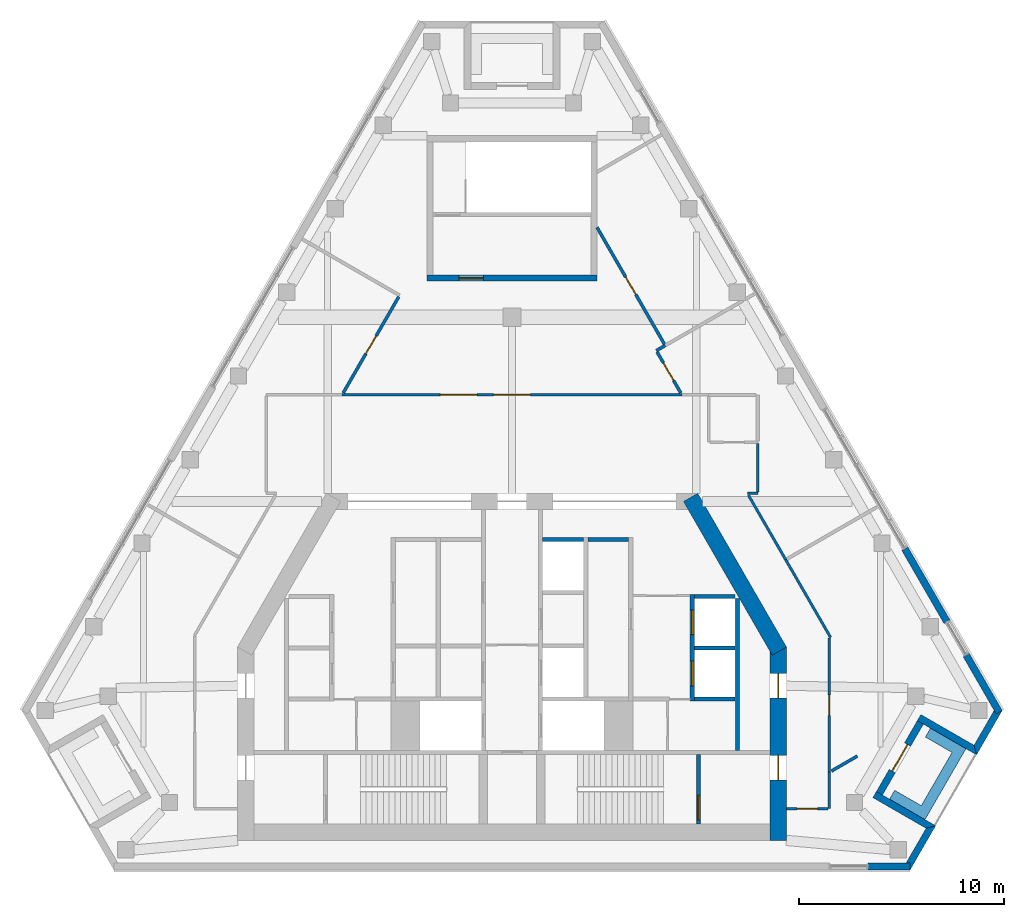
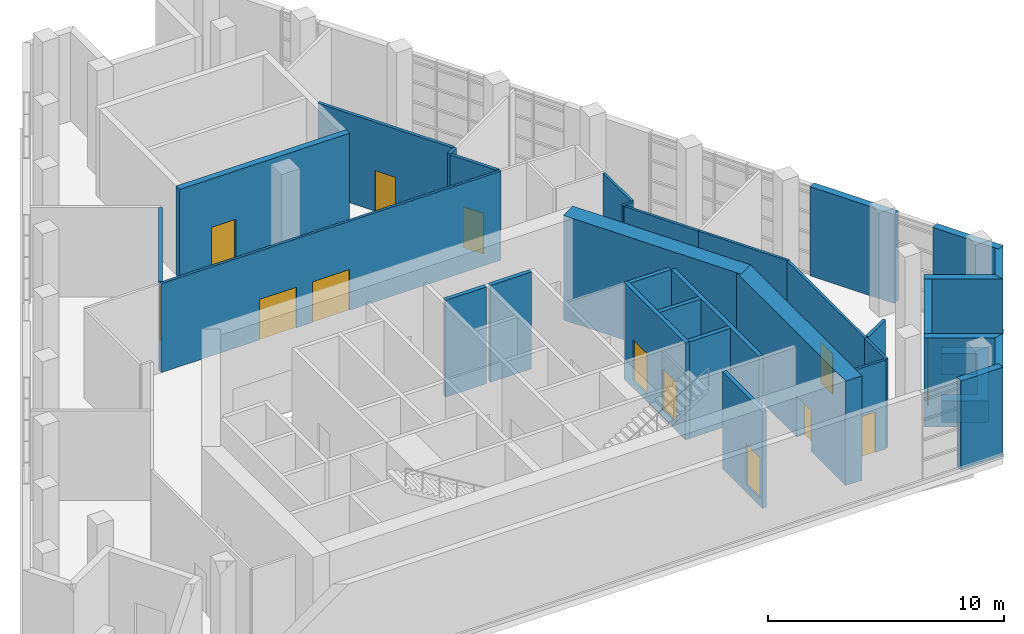
# One storey, part 11 of 13: 33 walls, 14 doors, 14 openings.
"""IFC4 building model written with IfcOpenShell, lengths in metres."""

from ifc_helpers import new_model, si_unit, direction, frame, frame_2d, origin, place, context, subcontext, project, spatial, polyline, rectangle, outline, extrude, material, layer, layer_set, type_object, element, fill, save


model = new_model("IFC4")

# Units and contexts
model_context = context("Model", 3, precision=1e-05, world=origin(), true_north=direction((0.0, 1.0)))
body_context = subcontext(model_context, "Body", "Model", "MODEL_VIEW")
ifc_project = project(units=[si_unit("LENGTHUNIT", "METRE"), si_unit("AREAUNIT", "SQUARE_METRE"), si_unit("VOLUMEUNIT", "CUBIC_METRE"), si_unit("PLANEANGLEUNIT", "RADIAN"), si_unit("MASSUNIT", "GRAM", prefix="KILO")], contexts=[model_context])

# Site, building, storey
site_placement = place(None, origin())
site = spatial("IfcSite", under=ifc_project, at=site_placement, CompositionType="ELEMENT")
building_placement = place(site_placement, origin())
building = spatial("IfcBuilding", under=site, at=building_placement, Name="Fogline Exchange Tower", CompositionType="ELEMENT")
storey_placement = place(building_placement, frame((0.0, 0.0, 339.300048828125)))
storey = spatial("IfcBuildingStorey", under=building, at=storey_placement, Name="L77", CompositionType="ELEMENT", Elevation=339.300048828125)

# Wall
ifc_material_1 = material(Name="Concrete C40", Category="concrete")
ifc_layer_1 = layer(ifc_material_1, 0.199951171875)
ifc_layer_set_1 = layer_set([ifc_layer_1], Name="CW20")
wall_type_1 = type_object("IfcWallType", Name="CW20", PredefinedType="SOLIDWALL", material=ifc_layer_set_1)
wall_1_placement = place(storey_placement, frame((11.0, 5.85009765625, 0.0), z_axis=(0.0, 0.0, 1.0), x_axis=(0.0, 1.0, 0.0)))
element("IfcWall", 1, at=wall_1_placement, inside=storey, type_object=wall_type_1, Name="Service room wall", PredefinedType="SOLIDWALL", context=body_context, shape_type="SweptSolid", body=[
    extrude(rectangle(XDim=7.39990234375, YDim=0.199951171875, at=frame_2d((3.699951171875, 0.0))), origin(), (0.0, 0.0, 1.0), 4.599853515625),
])

# Wall, opening, door
ifc_layer_2 = layer(ifc_material_1, 0.199951171875)
ifc_layer_set_2 = layer_set([ifc_layer_2], Name="CW20R")
wall_type_2 = type_object("IfcWallType", Name="CW20R", PredefinedType="SOLIDWALL", material=ifc_layer_set_2)
wall_2_placement = place(storey_placement, frame((9.10009765625, 2.25, -0.400146484375), z_axis=(0.0, 0.0, 1.0), x_axis=(0.0, 1.0, 0.0)))
wall_2 = element("IfcWall", 2, at=wall_2_placement, inside=storey, type_object=wall_type_2, Name="Stair enclosure wall", PredefinedType="SOLIDWALL", context=body_context, shape_type="SweptSolid", body=[
    extrude(rectangle(XDim=3.39990234375, YDim=0.199951171875, at=frame_2d((1.699951171875, 0.0))), origin(), (0.0, 0.0, 1.0), 5.0),
])
opening_1_placement = place(wall_2_placement, frame((0.199951171875, 0.0, 0.39990234375)))
opening_1 = element("IfcOpeningElement", 3, at=opening_1_placement, cuts=wall_2, Name="Opening T25-C019", PredefinedType="OPENING", context=body_context, shape_type="SweptSolid", body=[
    extrude(rectangle(XDim=1.199951171875, YDim=2.10009765625, at=frame_2d((0.60009765625, 1.050048828125))), frame((0.0, 0.10986328125, 0.0), z_axis=(0.0, -1.0, 0.0), x_axis=(1.0, 0.0, 0.0)), (0.0, 0.0, 1.0), 0.219970703125),
])
ifc_material_2 = material(Name="Steel and timber fire door", Category="steel")
door_type_1 = type_object("IfcDoorType", Name="D-ST1", OperationType="SINGLE_SWING_LEFT", PredefinedType="DOOR", material=ifc_material_2)
door_1_placement = place(opening_1_placement, origin())
door_1 = element("IfcDoor", 4, at=door_1_placement, inside=storey, type_object=door_type_1, Name="Stair door ST2", OperationType="SINGLE_SWING_LEFT", OverallHeight=2.10009765625, OverallWidth=1.199951171875, PredefinedType="DOOR", context=body_context, shape_type="SweptSolid", body=[
    extrude(rectangle(XDim=1.199951171875, YDim=2.10009765625, at=frame_2d((0.60009765625, 1.050048828125))), frame((0.0, 0.02490234375, 0.0), z_axis=(0.0, -1.0, 0.0), x_axis=(1.0, 0.0, 0.0)), (0.0, 0.0, 1.0), 0.050048828125),
])
fill(opening_1, door_1)

# Wall, openings, doors
ifc_layer_3 = layer(ifc_material_1, 0.199951171875)
ifc_layer_set_3 = layer_set([ifc_layer_3], Name="CW20S")
wall_type_3 = type_object("IfcWallType", Name="CW20S", PredefinedType="SOLIDWALL", material=ifc_layer_set_3)
wall_3_placement = place(storey_placement, frame((8.800048828125, 8.25, -0.400146484375), z_axis=(0.0, 0.0, 1.0), x_axis=(0.0, 1.0, 0.0)))
wall_3 = element("IfcWall", 5, at=wall_3_placement, inside=storey, type_object=wall_type_3, Name="Lift shaft wall", PredefinedType="SOLIDWALL", context=body_context, shape_type="SweptSolid", body=[
    extrude(rectangle(XDim=5.199951171875, YDim=0.199951171875, at=frame_2d((2.60009765625, 0.0))), origin(), (0.0, 0.0, 1.0), 5.0),
])
opening_2_placement = place(wall_3_placement, frame((0.75, 0.0, 0.39990234375)))
opening_2 = element("IfcOpeningElement", 6, at=opening_2_placement, cuts=wall_3, Name="Opening T25-LD02", PredefinedType="OPENING", context=body_context, shape_type="SweptSolid", body=[
    extrude(rectangle(XDim=1.199951171875, YDim=2.10009765625, at=frame_2d((0.60009765625, 1.050048828125))), frame((0.0, 0.10986328125, 0.0), z_axis=(0.0, -1.0, 0.0), x_axis=(1.0, 0.0, 0.0)), (0.0, 0.0, 1.0), 0.219970703125),
])
opening_3_placement = place(wall_3_placement, frame((3.25, 0.0, 0.39990234375)))
opening_3 = element("IfcOpeningElement", 7, at=opening_3_placement, cuts=wall_3, Name="Opening T25-LD03", PredefinedType="OPENING", context=body_context, shape_type="SweptSolid", body=[
    extrude(rectangle(XDim=1.199951171875, YDim=2.10009765625, at=frame_2d((0.60009765625, 1.050048828125))), frame((0.0, 0.10986328125, 0.0), z_axis=(0.0, -1.0, 0.0), x_axis=(1.0, 0.0, 0.0)), (0.0, 0.0, 1.0), 0.219970703125),
])
door_type_2 = type_object("IfcDoorType", Name="LD1", OperationType="SLIDING_TO_LEFT", PredefinedType="DOOR", material=ifc_material_2)
door_2_placement = place(opening_2_placement, origin())
door_2 = element("IfcDoor", 8, at=door_2_placement, inside=storey, type_object=door_type_2, Name="Landing door HR1", OperationType="SLIDING_TO_LEFT", OverallHeight=2.10009765625, OverallWidth=1.199951171875, PredefinedType="DOOR", context=body_context, shape_type="SweptSolid", body=[
    extrude(rectangle(XDim=1.199951171875, YDim=2.10009765625, at=frame_2d((0.60009765625, 1.050048828125))), frame((0.0, 0.02490234375, 0.0), z_axis=(0.0, -1.0, 0.0), x_axis=(1.0, 0.0, 0.0)), (0.0, 0.0, 1.0), 0.050048828125),
])
fill(opening_2, door_2)
door_3_placement = place(opening_3_placement, origin())
door_3 = element("IfcDoor", 9, at=door_3_placement, inside=storey, type_object=door_type_2, Name="Landing door HR2", OperationType="SLIDING_TO_LEFT", OverallHeight=2.10009765625, OverallWidth=1.199951171875, PredefinedType="DOOR", context=body_context, shape_type="SweptSolid", body=[
    extrude(rectangle(XDim=1.199951171875, YDim=2.10009765625, at=frame_2d((0.60009765625, 1.050048828125))), frame((0.0, 0.02490234375, 0.0), z_axis=(0.0, -1.0, 0.0), x_axis=(1.0, 0.0, 0.0)), (0.0, 0.0, 1.0), 0.050048828125),
])
fill(opening_3, door_3)

# Walls
for number, where, z_axis, x_axis, name in (
    (10, (8.89990234375, 8.35009765625, -0.400146484375), (0.0, 0.0, 1.0), (1.0, 0.0, 0.0), "Lift shaft wall"),
    (11, (8.89990234375, 10.85009765625, -0.400146484375), (0.0, 0.0, 1.0), (1.0, 0.0, 0.0), "Lift shaft wall"),
    (12, (8.89990234375, 13.35009765625, -0.400146484375), (0.0, 0.0, 1.0), (1.0, 0.0, 0.0), "Lift shaft wall"),
    (13, (3.699951171875, 16.14990234375, -0.400146484375), (0.0, 0.0, 1.0), (1.0, 0.0, 0.0), "Lift shaft wall"),
    (14, (1.5, 16.14990234375, -0.400146484375), (0.0, 0.0, 1.0), (1.0, 0.0, 0.0), "Lift shaft wall"),
):
    element("IfcWall", number, at=place(storey_placement, frame(where, z_axis=z_axis, x_axis=x_axis)), inside=storey, type_object=wall_type_3, Name=name, PredefinedType="SOLIDWALL", context=body_context, shape_type="SweptSolid", body=[
        extrude(rectangle(XDim=2.0, YDim=0.199951171875, at=frame_2d((1.0, 0.0))), origin(), (0.0, 0.0, 1.0), 5.0),
    ])

# Wall, opening, door
ifc_layer_4 = layer(ifc_material_1, 0.300048828125)
ifc_layer_set_4 = layer_set([ifc_layer_4], Name="CW30")
wall_type_4 = type_object("IfcWallType", Name="CW30", PredefinedType="SOLIDWALL", material=ifc_layer_set_4)
wall_4_placement = place(storey_placement, frame((-4.14990234375, 28.906982421875, -0.400146484375), z_axis=(0.0, 0.0, 1.0), x_axis=(1.0, 0.0, 0.0)))
wall_4 = element("IfcWall", 15, at=wall_4_placement, inside=storey, type_object=wall_type_4, Name="Stair enclosure wall ST3", PredefinedType="SOLIDWALL", context=body_context, shape_type="SweptSolid", body=[
    extrude(rectangle(XDim=8.2998046875, YDim=0.300048828125, at=frame_2d((4.14990234375, 0.0))), origin(), (0.0, 0.0, 1.0), 5.0),
])
opening_4_placement = place(wall_4_placement, frame((1.550048828125, 0.0, 0.39990234375)))
opening_4 = element("IfcOpeningElement", 16, at=opening_4_placement, cuts=wall_4, Name="Opening T25-C025", PredefinedType="OPENING", context=body_context, shape_type="SweptSolid", body=[
    extrude(rectangle(XDim=1.199951171875, YDim=2.10009765625, at=frame_2d((0.60009765625, 1.050048828125))), frame((0.0, 0.16015625, 0.0), z_axis=(0.0, -1.0, 0.0), x_axis=(1.0, 0.0, 0.0)), (0.0, 0.0, 1.0), 0.320068359375),
])
door_type_3 = type_object("IfcDoorType", Name="D-FR1", OperationType="SINGLE_SWING_RIGHT", PredefinedType="DOOR", material=ifc_material_2)
door_4_placement = place(opening_4_placement, origin())
door_4 = element("IfcDoor", 17, at=door_4_placement, inside=storey, type_object=door_type_3, Name="Front room door ST3", OperationType="SINGLE_SWING_LEFT", OverallHeight=2.10009765625, OverallWidth=1.199951171875, PredefinedType="DOOR", context=body_context, shape_type="SweptSolid", body=[
    extrude(rectangle(XDim=1.199951171875, YDim=2.10009765625, at=frame_2d((0.60009765625, 1.050048828125))), frame((0.0, 0.02490234375, 0.0), z_axis=(0.0, -1.0, 0.0), x_axis=(1.0, 0.0, 0.0)), (0.0, 0.0, 1.0), 0.050048828125),
])
fill(opening_4, door_4)

# Walls
ifc_material_3 = material(Name="Brick masonry", Category="masonry")
ifc_layer_5 = layer(ifc_material_3, 0.340087890625)
ifc_layer_set_5 = layer_set([ifc_layer_5], Name="FW1")
wall_type_5 = type_object("IfcWallType", Name="FW1", PredefinedType="SOLIDWALL", material=ifc_layer_set_5)
wall_5_placement = place(storey_placement, frame((17.385009765625, 0.169921875, 0.0), z_axis=(0.0, 0.0, 1.0), x_axis=(1.0, 0.0, 0.0)))
element("IfcWall", 18, at=wall_5_placement, inside=storey, type_object=wall_type_5, Name="Brick wall L77 S bay 2", PredefinedType="SOLIDWALL", context=body_context, shape_type="SweptSolid", body=[
    extrude(rectangle(XDim=2.050048828125, YDim=0.340087890625, at=frame_2d((1.02490234375, 0.0))), origin(), (0.0, 0.0, 1.0), 4.599853515625),
])
wall_6_placement = place(storey_placement, origin())
element("IfcWall", 19, at=wall_6_placement, inside=storey, type_object=wall_type_5, Name="Brick wall L77 SE-c1", PredefinedType="SOLIDWALL", context=body_context, shape_type="SweptSolid", body=[
    extrude(outline(polyline([(20.68603515625, 2.165771484375), (19.43505859375, -0.001220703125), (19.434326171875, -0.0009765625), (19.434326171875, 0.33935546875), (19.237548828125, 0.33935546875), (20.22021484375, 2.041015625), (20.685791015625, 2.166015625), (20.68603515625, 2.165771484375)])), origin(), (0.0, 0.0, 1.0), 4.599853515625),
])
wall_7_placement = place(storey_placement, origin())
element("IfcWall", 20, at=wall_7_placement, inside=storey, type_object=wall_type_5, Name="Brick wall L77 SE-s1", PredefinedType="SOLIDWALL", context=body_context, shape_type="SweptSolid", body=[
    extrude(outline(polyline([(17.62158203125, 3.540283203125), (17.792236328125, 3.8359375), (18.087158203125, 3.66552734375), (20.686279296875, 2.1650390625), (20.686279296875, 2.164794921875), (20.220458984375, 2.0400390625), (17.62158203125, 3.540283203125)])), origin(), (0.0, 0.0, 1.0), 4.599853515625),
])

# Wall, opening, door
wall_8_placement = place(storey_placement, frame((17.939697265625, 3.75, 0.0), z_axis=(0.0, 0.0, 1.0), x_axis=(0.49999894854, 0.866026010844, 0.0)))
wall_8 = element("IfcWall", 21, at=wall_8_placement, inside=storey, type_object=wall_type_5, Name="Brick wall L77 SE-bk", PredefinedType="SOLIDWALL", context=body_context, shape_type="SweptSolid", body=[
    extrude(rectangle(XDim=4.0, YDim=0.340087890625, at=frame_2d((2.0, 0.0))), origin(), (0.0, 0.0, 1.0), 4.599853515625),
])
opening_5_placement = place(wall_8_placement, frame((1.25, 0.0, 0.0)))
opening_5 = element("IfcOpeningElement", 22, at=opening_5_placement, cuts=wall_8, Name="Opening T25-E081", PredefinedType="OPENING", context=body_context, shape_type="SweptSolid", body=[
    extrude(rectangle(XDim=1.5, YDim=2.39990234375, at=frame_2d((0.75, 1.199951171875))), frame((0.0, 0.18017578125, 0.0), z_axis=(0.0, -1.0, 0.0), x_axis=(1.0, 0.0, 0.0)), (0.0, 0.0, 1.0), 0.360107421875),
])
ifc_material_4 = material(Name="Aluminium and glass", Category="aluminium")
door_type_4 = type_object("IfcDoorType", Name="ED4", OperationType="SINGLE_SWING_LEFT", PredefinedType="DOOR", material=ifc_material_4)
door_5_placement = place(opening_5_placement, frame((1.5, 0.0, 0.0), z_axis=(0.0, 0.0, 1.0), x_axis=(-1.0, 0.0, 0.0)))
door_5 = element("IfcDoor", 23, at=door_5_placement, inside=storey, type_object=door_type_4, Name="Balcony door L77 SE", OperationType="DOUBLE_DOOR_SINGLE_SWING", OverallHeight=2.39990234375, OverallWidth=1.5, PredefinedType="DOOR", context=body_context, shape_type="SweptSolid", body=[
    extrude(rectangle(XDim=1.5, YDim=2.39990234375, at=frame_2d((0.75, 1.199951171875))), frame((0.0, 0.02490234375, 0.0), z_axis=(0.0, -1.0, 0.0), x_axis=(1.0, 0.0, 0.0)), (0.0, 0.0, 1.0), 0.050048828125),
])
fill(opening_5, door_5)

# Walls
wall_9_placement = place(storey_placement, origin())
element("IfcWall", 24, at=wall_9_placement, inside=storey, type_object=wall_type_5, Name="Brick wall L77 SE-s2", PredefinedType="SOLIDWALL", context=body_context, shape_type="SweptSolid", body=[
    extrude(outline(polyline([(22.685546875, 5.628173828125), (20.086669921875, 7.128662109375), (19.791748046875, 7.298828125), (19.962158203125, 7.594482421875), (22.56103515625, 6.093994140625), (22.685791015625, 5.62841796875), (22.685546875, 5.628173828125)])), origin(), (0.0, 0.0, 1.0), 4.599853515625),
])
wall_10_placement = place(storey_placement, origin())
element("IfcWall", 25, at=wall_10_placement, inside=storey, type_object=wall_type_5, Name="Brick wall L77 SE-c2", PredefinedType="SOLIDWALL", context=body_context, shape_type="SweptSolid", body=[
    extrude(outline(polyline([(23.54248046875, 7.79541015625), (23.640869140625, 7.625), (23.935546875, 7.79541015625), (23.93603515625, 7.794921875), (22.68505859375, 5.6279296875), (22.684814453125, 5.6279296875), (22.559814453125, 6.09375), (23.54248046875, 7.79541015625)])), origin(), (0.0, 0.0, 1.0), 4.599853515625),
])
wall_11_placement = place(storey_placement, frame((23.787841796875, 7.709228515625, 0.0), z_axis=(0.0, 0.0, 1.0), x_axis=(-0.500039914135, 0.866002358122, 0.0)))
element("IfcWall", 26, at=wall_11_placement, inside=storey, type_object=wall_type_5, Name="Brick wall L77 E bay 1", PredefinedType="SOLIDWALL", context=body_context, shape_type="SweptSolid", body=[
    extrude(rectangle(XDim=3.217529296875, YDim=0.340087890625, at=frame_2d((1.60888671875, 0.0))), origin(), (0.0, 0.0, 1.0), 4.599853515625),
])
wall_12_placement = place(storey_placement, frame((21.236572265625, 12.128173828125, 0.0), z_axis=(0.0, 0.0, 1.0), x_axis=(-0.500018604663, 0.866014662111, 0.0)))
element("IfcWall", 27, at=wall_12_placement, inside=storey, type_object=wall_type_5, Name="Brick wall L77 E bay 2", PredefinedType="SOLIDWALL", context=body_context, shape_type="SweptSolid", body=[
    extrude(rectangle(XDim=4.114990234375, YDim=0.340087890625, at=frame_2d((2.0576171875, 0.0))), origin(), (0.0, 0.0, 1.0), 4.599853515625),
])
ifc_material_5 = material(Name="Concrete C30", Category="concrete")
ifc_layer_6 = layer(ifc_material_5, 0.199951171875)
ifc_layer_set_6 = layer_set([ifc_layer_6], Name="PL1")
wall_type_6 = type_object("IfcWallType", Name="PL1", PredefinedType="USERDEFINED", material=ifc_layer_set_6)
wall_13_placement = place(storey_placement, origin())
element("IfcWall", 28, at=wall_13_placement, inside=storey, type_object=wall_type_6, Name="PLANTER balcony L77 SE", ObjectType="PLANTER", PredefinedType="USERDEFINED", context=body_context, shape_type="SweptSolid", body=[
    extrude(outline(polyline([(18.433349609375, 3.465087890625), (19.732421875, 2.715087890625), (19.732421875, 2.715087890625), (20.165283203125, 2.465087890625), (22.165283203125, 5.92919921875), (20.433349609375, 6.92919921875), (20.183349609375, 6.49609375), (21.482421875, 5.74609375), (19.982421875, 3.148193359375), (18.683349609375, 3.898193359375), (18.433349609375, 3.465087890625)])), origin(), (0.0, 0.0, 1.0), 1.099853515625),
])
ifc_material_6 = material(Name="Plasterboard corridor partition with mineral wool, 2 layers each side")
ifc_layer_7 = layer(ifc_material_6, 0.125)
ifc_layer_set_7 = layer_set([ifc_layer_7], Name="PW2")
wall_type_7 = type_object("IfcWallType", Name="PW2", PredefinedType="PARTITIONING", material=ifc_layer_set_7)
wall_14_placement = place(storey_placement, frame((11.54443359375, 18.305908203125, 0.0), z_axis=(0.0, 0.0, 1.0), x_axis=(0.500007048974, -0.866021334019, 0.0)))
element("IfcWall", 29, at=wall_14_placement, inside=storey, type_object=wall_type_7, Name="wall-L77-W001", PredefinedType="PARTITIONING", context=body_context, shape_type="SweptSolid", body=[
    extrude(rectangle(XDim=3.638671875, YDim=0.125, at=frame_2d((1.8193359375, 0.0))), origin(), (0.0, 0.0, 1.0), 4.599853515625),
])
wall_15_placement = place(storey_placement, frame((15.5, 4.781982421875, 0.0), z_axis=(0.0, 0.0, 1.0), x_axis=(0.0, -1.0, 0.0)))
element("IfcWall", 30, at=wall_15_placement, inside=storey, type_object=wall_type_7, Name="wall-L77-W002", PredefinedType="PARTITIONING", context=body_context, shape_type="SweptSolid", body=[
    extrude(rectangle(XDim=1.781982421875, YDim=0.125, at=frame_2d((0.89111328125, 0.0))), origin(), (0.0, 0.0, 1.0), 4.599853515625),
])

# Wall, opening, door
wall_16_placement = place(storey_placement, frame((15.4375, 3.0, 0.0), z_axis=(0.0, 0.0, 1.0), x_axis=(-1.0, 0.0, 0.0)))
wall_16 = element("IfcWall", 31, at=wall_16_placement, inside=storey, type_object=wall_type_7, Name="wall-L77-W003", PredefinedType="PARTITIONING", context=body_context, shape_type="SweptSolid", body=[
    extrude(rectangle(XDim=2.03759765625, YDim=0.125, at=frame_2d((1.018798828125, 0.0))), origin(), (0.0, 0.0, 1.0), 4.599853515625),
])
opening_6_placement = place(wall_16_placement, frame((0.518798828125, 0.0, 0.0)))
opening_6 = element("IfcOpeningElement", 32, at=opening_6_placement, cuts=wall_16, Name="Opening T25-D001", PredefinedType="OPENING", context=body_context, shape_type="SweptSolid", body=[
    extrude(rectangle(XDim=1.0, YDim=2.10009765625, at=frame_2d((0.5, 1.050048828125))), frame((0.0, 0.072509765625, 0.0), z_axis=(0.0, -1.0, 0.0), x_axis=(1.0, 0.0, 0.0)), (0.0, 0.0, 1.0), 0.14501953125),
])
ifc_material_7 = material(Name="Fire-rated timber door leaf with steel frame", Category="steel")
door_type_5 = type_object("IfcDoorType", Name="D3", OperationType="SINGLE_SWING_LEFT", PredefinedType="DOOR", material=ifc_material_7)
door_6_placement = place(opening_6_placement, origin())
door_6 = element("IfcDoor", 33, at=door_6_placement, inside=storey, type_object=door_type_5, Name="door-L77-D001", OperationType="SINGLE_SWING_LEFT", OverallHeight=2.10009765625, OverallWidth=1.0, PredefinedType="DOOR", context=body_context, shape_type="SweptSolid", body=[
    extrude(rectangle(XDim=1.0, YDim=2.10009765625, at=frame_2d((0.5, 1.050048828125))), frame((0.0, 0.02490234375, 0.0), z_axis=(0.0, -1.0, 0.0), x_axis=(1.0, 0.0, 0.0)), (0.0, 0.0, 1.0), 0.050048828125),
])
fill(opening_6, door_6)

# Wall
wall_17_placement = place(storey_placement, frame((13.36376953125, 15.15478515625, 0.0), z_axis=(0.0, 0.0, 1.0), x_axis=(0.499974900732, -0.866039894369, 0.0)))
element("IfcWall", 34, at=wall_17_placement, inside=storey, type_object=wall_type_7, Name="wall-L77-W004", PredefinedType="PARTITIONING", context=body_context, shape_type="SweptSolid", body=[
    extrude(rectangle(XDim=4.381103515625, YDim=0.125, at=frame_2d((2.1904296875, 0.0))), origin(), (0.0, 0.0, 1.0), 4.599853515625),
])

# Wall, opening, door
wall_18_placement = place(storey_placement, frame((15.5, 11.32958984375, 0.0), z_axis=(0.0, 0.0, 1.0), x_axis=(0.0, -1.0, 0.0)))
wall_18 = element("IfcWall", 35, at=wall_18_placement, inside=storey, type_object=wall_type_7, Name="wall-L77-W005", PredefinedType="PARTITIONING", context=body_context, shape_type="SweptSolid", body=[
    extrude(rectangle(XDim=6.547607421875, YDim=0.125, at=frame_2d((3.27392578125, 0.0))), origin(), (0.0, 0.0, 1.0), 4.599853515625),
])
opening_7_placement = place(wall_18_placement, frame((2.773681640625, 0.0, 0.0)))
opening_7 = element("IfcOpeningElement", 36, at=opening_7_placement, cuts=wall_18, Name="Opening T25-D002", PredefinedType="OPENING", context=body_context, shape_type="SweptSolid", body=[
    extrude(rectangle(XDim=1.0, YDim=2.10009765625, at=frame_2d((0.5, 1.050048828125))), frame((0.0, 0.072509765625, 0.0), z_axis=(0.0, -1.0, 0.0), x_axis=(1.0, 0.0, 0.0)), (0.0, 0.0, 1.0), 0.14501953125),
])
door_7_placement = place(opening_7_placement, origin())
door_7 = element("IfcDoor", 37, at=door_7_placement, inside=storey, type_object=door_type_5, Name="door-L77-D002", OperationType="SINGLE_SWING_RIGHT", OverallHeight=2.10009765625, OverallWidth=1.0, PredefinedType="DOOR", context=body_context, shape_type="SweptSolid", body=[
    extrude(rectangle(XDim=1.0, YDim=2.10009765625, at=frame_2d((0.5, 1.050048828125))), frame((0.0, 0.02490234375, 0.0), z_axis=(0.0, -1.0, 0.0), x_axis=(1.0, 0.0, 0.0)), (0.0, 0.0, 1.0), 0.050048828125),
])
fill(opening_7, door_7)

# Walls
wall_19_placement = place(storey_placement, frame((12.0, 20.8369140625, 0.0), z_axis=(0.0, 0.0, 1.0), x_axis=(0.0, -1.0, 0.0)))
element("IfcWall", 38, at=wall_19_placement, inside=storey, type_object=wall_type_7, Name="wall-L77-W007", PredefinedType="PARTITIONING", context=body_context, shape_type="SweptSolid", body=[
    extrude(rectangle(XDim=2.37451171875, YDim=0.125, at=frame_2d((1.187255859375, 0.0))), origin(), (0.0, 0.0, 1.0), 4.599853515625),
])
wall_20_placement = place(storey_placement, frame((12.0, 18.39990234375, 0.0), z_axis=(0.0, 0.0, 1.0), x_axis=(-1.0, 0.0, 0.0)))
element("IfcWall", 39, at=wall_20_placement, inside=storey, type_object=wall_type_7, Name="wall-L77-W008", PredefinedType="PARTITIONING", context=body_context, shape_type="SweptSolid", body=[
    extrude(rectangle(XDim=0.510009765625, YDim=0.125, at=frame_2d((0.2548828125, 0.0))), origin(), (0.0, 0.0, 1.0), 4.599853515625),
])

# Wall, openings, doors
wall_21_placement = place(storey_placement, frame((-8.297119140625, 23.199951171875, 0.0), z_axis=(0.0, 0.0, 1.0), x_axis=(1.0, 0.0, 0.0)))
wall_21 = element("IfcWall", 40, at=wall_21_placement, inside=storey, type_object=wall_type_7, Name="wall-L77-W011", PredefinedType="PARTITIONING", context=body_context, shape_type="SweptSolid", body=[
    extrude(rectangle(XDim=16.59423828125, YDim=0.125, at=frame_2d((8.297119140625, 0.0))), origin(), (0.0, 0.0, 1.0), 4.599853515625),
])
opening_8_placement = place(wall_21_placement, frame((4.798095703125, 0.0, 0.0)))
opening_8 = element("IfcOpeningElement", 41, at=opening_8_placement, cuts=wall_21, Name="Opening T25-D004", PredefinedType="OPENING", context=body_context, shape_type="SweptSolid", body=[
    extrude(rectangle(XDim=1.800048828125, YDim=2.10009765625, at=frame_2d((0.89990234375, 1.050048828125))), frame((0.0, 0.072509765625, 0.0), z_axis=(0.0, -1.0, 0.0), x_axis=(1.0, 0.0, 0.0)), (0.0, 0.0, 1.0), 0.14501953125),
])
opening_9_placement = place(wall_21_placement, frame((7.39697265625, 0.0, 0.0)))
opening_9 = element("IfcOpeningElement", 42, at=opening_9_placement, cuts=wall_21, Name="Opening T25-D005", PredefinedType="OPENING", context=body_context, shape_type="SweptSolid", body=[
    extrude(rectangle(XDim=1.800048828125, YDim=2.10009765625, at=frame_2d((0.89990234375, 1.050048828125))), frame((0.0, 0.072509765625, 0.0), z_axis=(0.0, -1.0, 0.0), x_axis=(1.0, 0.0, 0.0)), (0.0, 0.0, 1.0), 0.14501953125),
])
ifc_material_8 = material(Name="Fire-rated timber door leaves with steel frame", Category="steel")
door_type_6 = type_object("IfcDoorType", Name="D4", OperationType="DOUBLE_DOOR_SINGLE_SWING", PredefinedType="DOOR", material=ifc_material_8)
door_8_placement = place(opening_8_placement, frame((1.800048828125, 0.0, 0.0), z_axis=(0.0, 0.0, 1.0), x_axis=(-1.0, 0.0, 0.0)))
door_8 = element("IfcDoor", 43, at=door_8_placement, inside=storey, type_object=door_type_6, Name="door-L77-D004", OperationType="DOUBLE_DOOR_SINGLE_SWING", OverallHeight=2.10009765625, OverallWidth=1.800048828125, PredefinedType="DOOR", context=body_context, shape_type="SweptSolid", body=[
    extrude(rectangle(XDim=1.800048828125, YDim=2.10009765625, at=frame_2d((0.89990234375, 1.050048828125))), frame((0.0, 0.02490234375, 0.0), z_axis=(0.0, -1.0, 0.0), x_axis=(1.0, 0.0, 0.0)), (0.0, 0.0, 1.0), 0.050048828125),
])
fill(opening_8, door_8)
door_9_placement = place(opening_9_placement, frame((1.800048828125, 0.0, 0.0), z_axis=(0.0, 0.0, 1.0), x_axis=(-1.0, 0.0, 0.0)))
door_9 = element("IfcDoor", 44, at=door_9_placement, inside=storey, type_object=door_type_6, Name="door-L77-D005", OperationType="DOUBLE_DOOR_SINGLE_SWING", OverallHeight=2.10009765625, OverallWidth=1.800048828125, PredefinedType="DOOR", context=body_context, shape_type="SweptSolid", body=[
    extrude(rectangle(XDim=1.800048828125, YDim=2.10009765625, at=frame_2d((0.89990234375, 1.050048828125))), frame((0.0, 0.02490234375, 0.0), z_axis=(0.0, -1.0, 0.0), x_axis=(1.0, 0.0, 0.0)), (0.0, 0.0, 1.0), 0.050048828125),
])
fill(opening_9, door_9)

# Wall, opening, door
ifc_material_9 = material(Name="Plasterboard demising partition with mineral wool and acoustic board")
ifc_layer_8 = layer(ifc_material_9, 0.14990234375)
ifc_layer_set_8 = layer_set([ifc_layer_8], Name="PW3")
wall_type_8 = type_object("IfcWallType", Name="PW3", PredefinedType="PARTITIONING", material=ifc_layer_set_8)
wall_22_placement = place(storey_placement, frame((8.239013671875, 23.30029296875, 0.0), z_axis=(0.0, 0.0, 1.0), x_axis=(-0.499972710878, 0.866041158593, 0.0)))
wall_22 = element("IfcWall", 45, at=wall_22_placement, inside=storey, type_object=wall_type_8, Name="wall-L77-W023", PredefinedType="PARTITIONING", context=body_context, shape_type="SweptSolid", body=[
    extrude(rectangle(XDim=2.308349609375, YDim=0.14990234375, at=frame_2d((1.154296875, 0.0))), origin(), (0.0, 0.0, 1.0), 4.599853515625),
])
opening_10_placement = place(wall_22_placement, frame((0.69091796875, 0.0, 0.0)))
opening_10 = element("IfcOpeningElement", 46, at=opening_10_placement, cuts=wall_22, Name="Opening T25-D007", PredefinedType="OPENING", context=body_context, shape_type="SweptSolid", body=[
    extrude(rectangle(XDim=1.0, YDim=2.10009765625, at=frame_2d((0.5, 1.050048828125))), frame((0.0, 0.0849609375, 0.0), z_axis=(0.0, -1.0, 0.0), x_axis=(1.0, 0.0, 0.0)), (0.0, 0.0, 1.0), 0.169921875),
])
door_10_placement = place(opening_10_placement, frame((1.0, 0.0, 0.0), z_axis=(0.0, 0.0, 1.0), x_axis=(-1.0, 0.0, 0.0)))
door_10 = element("IfcDoor", 47, at=door_10_placement, inside=storey, type_object=door_type_5, Name="door-L77-D007", OperationType="SINGLE_SWING_LEFT", OverallHeight=2.10009765625, OverallWidth=1.0, PredefinedType="DOOR", context=body_context, shape_type="SweptSolid", body=[
    extrude(rectangle(XDim=1.0, YDim=2.10009765625, at=frame_2d((0.5, 1.050048828125))), frame((0.0, 0.02490234375, 0.0), z_axis=(0.0, -1.0, 0.0), x_axis=(1.0, 0.0, 0.0)), (0.0, 0.0, 1.0), 0.050048828125),
])
fill(opening_10, door_10)

# Wall
wall_23_placement = place(storey_placement, frame((7.04736328125, 25.364501953125, 0.0), z_axis=(0.0, 0.0, 1.0), x_axis=(0.866071776036, 0.499919672301, 0.0)))
element("IfcWall", 48, at=wall_23_placement, inside=storey, type_object=wall_type_8, Name="wall-L77-W024", PredefinedType="PARTITIONING", context=body_context, shape_type="SweptSolid", body=[
    extrude(rectangle(XDim=0.5, YDim=0.14990234375, at=frame_2d((0.25, 0.0))), origin(), (0.0, 0.0, 1.0), 4.599853515625),
])

# Wall, opening, door
wall_24_placement = place(storey_placement, frame((7.44287109375, 25.679443359375, 0.0), z_axis=(0.0, 0.0, 1.0), x_axis=(-0.500014467694, 0.866017050696, 0.0)))
wall_24 = element("IfcWall", 49, at=wall_24_placement, inside=storey, type_object=wall_type_8, Name="wall-L77-W026", PredefinedType="PARTITIONING", context=body_context, shape_type="SweptSolid", body=[
    extrude(rectangle(XDim=6.585693359375, YDim=0.14990234375, at=frame_2d((3.29296875, 0.0))), origin(), (0.0, 0.0, 1.0), 4.599853515625),
])
opening_11_placement = place(wall_24_placement, frame((2.79296875, 0.0, 0.0)))
opening_11 = element("IfcOpeningElement", 50, at=opening_11_placement, cuts=wall_24, Name="Opening T25-D008", PredefinedType="OPENING", context=body_context, shape_type="SweptSolid", body=[
    extrude(rectangle(XDim=1.0, YDim=2.10009765625, at=frame_2d((0.5, 1.050048828125))), frame((0.0, 0.0849609375, 0.0), z_axis=(0.0, -1.0, 0.0), x_axis=(1.0, 0.0, 0.0)), (0.0, 0.0, 1.0), 0.169921875),
])
door_11_placement = place(opening_11_placement, frame((1.0, 0.0, 0.0), z_axis=(0.0, 0.0, 1.0), x_axis=(-1.0, 0.0, 0.0)))
door_11 = element("IfcDoor", 51, at=door_11_placement, inside=storey, type_object=door_type_5, Name="door-L77-D008", OperationType="SINGLE_SWING_RIGHT", OverallHeight=2.10009765625, OverallWidth=1.0, PredefinedType="DOOR", context=body_context, shape_type="SweptSolid", body=[
    extrude(rectangle(XDim=1.0, YDim=2.10009765625, at=frame_2d((0.5, 1.050048828125))), frame((0.0, 0.02490234375, 0.0), z_axis=(0.0, -1.0, 0.0), x_axis=(1.0, 0.0, 0.0)), (0.0, 0.0, 1.0), 0.050048828125),
])
fill(opening_11, door_11)

wall_25_placement = place(storey_placement, frame((-8.239013671875, 23.30029296875, 0.0), z_axis=(0.0, 0.0, 1.0), x_axis=(0.499997823047, 0.866026660645, 0.0)))
wall_25 = element("IfcWall", 52, at=wall_25_placement, inside=storey, type_object=wall_type_8, Name="wall-L77-W028", PredefinedType="PARTITIONING", context=body_context, shape_type="SweptSolid", body=[
    extrude(rectangle(XDim=5.42333984375, YDim=0.14990234375, at=frame_2d((2.711669921875, 0.0))), origin(), (0.0, 0.0, 1.0), 4.599853515625),
])
opening_12_placement = place(wall_25_placement, frame((2.211669921875, 0.0, 0.0)))
opening_12 = element("IfcOpeningElement", 53, at=opening_12_placement, cuts=wall_25, Name="Opening T25-D009", PredefinedType="OPENING", context=body_context, shape_type="SweptSolid", body=[
    extrude(rectangle(XDim=1.0, YDim=2.10009765625, at=frame_2d((0.5, 1.050048828125))), frame((0.0, 0.0849609375, 0.0), z_axis=(0.0, -1.0, 0.0), x_axis=(1.0, 0.0, 0.0)), (0.0, 0.0, 1.0), 0.169921875),
])
door_12_placement = place(opening_12_placement, origin())
door_12 = element("IfcDoor", 54, at=door_12_placement, inside=storey, type_object=door_type_5, Name="door-L77-D009", OperationType="SINGLE_SWING_LEFT", OverallHeight=2.10009765625, OverallWidth=1.0, PredefinedType="DOOR", context=body_context, shape_type="SweptSolid", body=[
    extrude(rectangle(XDim=1.0, YDim=2.10009765625, at=frame_2d((0.5, 1.050048828125))), frame((0.0, 0.02490234375, 0.0), z_axis=(0.0, -1.0, 0.0), x_axis=(1.0, 0.0, 0.0)), (0.0, 0.0, 1.0), 0.050048828125),
])
fill(opening_12, door_12)

# Wall
wall_26_placement = place(storey_placement, frame((15.600341796875, 4.83984375, 0.0), z_axis=(0.0, 0.0, 1.0), x_axis=(0.866009128825, 0.500028187997, 0.0)))
element("IfcWall", 55, at=wall_26_placement, inside=storey, type_object=wall_type_8, Name="wall-L77-W031", PredefinedType="PARTITIONING", context=body_context, shape_type="SweptSolid", body=[
    extrude(rectangle(XDim=1.45166015625, YDim=0.14990234375, at=frame_2d((0.725830078125, 0.0))), origin(), (0.0, 0.0, 1.0), 4.599853515625),
])

# Wall, openings, doors
ifc_material_10 = material(Name="Concrete C50", Category="concrete")
ifc_layer_9 = layer(ifc_material_10, 0.800048828125)
ifc_layer_set_9 = layer_set([ifc_layer_9], Name="SW04")
wall_type_9 = type_object("IfcWallType", Name="SW04", PredefinedType="SHEAR", material=ifc_layer_set_9)
wall_27_placement = place(storey_placement, frame((13.0, 1.449951171875, 0.0), z_axis=(0.0, 0.0, 1.0), x_axis=(0.0, 1.0, 0.0)))
wall_27 = element("IfcWall", 56, at=wall_27_placement, inside=storey, type_object=wall_type_9, Name="L77-W902", PredefinedType="SHEAR", context=body_context, shape_type="SweptSolid", body=[
    extrude(rectangle(XDim=9.44189453125, YDim=0.800048828125, at=frame_2d((4.720947265625, 0.0))), origin(), (0.0, 0.0, 1.0), 5.39990234375),
])
opening_13_placement = place(wall_27_placement, frame((2.949951171875, 0.0, 0.0)))
opening_13 = element("IfcOpeningElement", 57, at=opening_13_placement, cuts=wall_27, Name="Opening T25-C018", PredefinedType="OPENING", context=body_context, shape_type="SweptSolid", body=[
    extrude(rectangle(XDim=1.199951171875, YDim=2.10009765625, at=frame_2d((0.60009765625, 1.050048828125))), frame((0.0, 0.41015625, 0.0), z_axis=(0.0, -1.0, 0.0), x_axis=(1.0, 0.0, 0.0)), (0.0, 0.0, 1.0), 0.820068359375),
])
opening_14_placement = place(wall_27_placement, frame((6.949951171875, 0.0, 0.0)))
opening_14 = element("IfcOpeningElement", 58, at=opening_14_placement, cuts=wall_27, Name="Opening T25-C020", PredefinedType="OPENING", context=body_context, shape_type="SweptSolid", body=[
    extrude(rectangle(XDim=1.199951171875, YDim=2.10009765625, at=frame_2d((0.60009765625, 1.050048828125))), frame((0.0, 0.41015625, 0.0), z_axis=(0.0, -1.0, 0.0), x_axis=(1.0, 0.0, 0.0)), (0.0, 0.0, 1.0), 0.820068359375),
])
door_13_placement = place(opening_13_placement, origin())
door_13 = element("IfcDoor", 59, at=door_13_placement, inside=storey, type_object=door_type_3, Name="Front room door ST2", OperationType="SINGLE_SWING_RIGHT", OverallHeight=2.10009765625, OverallWidth=1.199951171875, PredefinedType="DOOR", context=body_context, shape_type="SweptSolid", body=[
    extrude(rectangle(XDim=1.199951171875, YDim=2.10009765625, at=frame_2d((0.60009765625, 1.050048828125))), frame((0.0, 0.02490234375, 0.0), z_axis=(0.0, -1.0, 0.0), x_axis=(1.0, 0.0, 0.0)), (0.0, 0.0, 1.0), 0.050048828125),
])
fill(opening_13, door_13)
door_type_7 = type_object("IfcDoorType", Name="D-SV1", OperationType="SINGLE_SWING_LEFT", PredefinedType="DOOR", material=ifc_material_2)
door_14_placement = place(opening_14_placement, origin())
door_14 = element("IfcDoor", 60, at=door_14_placement, inside=storey, type_object=door_type_7, Name="Service door E", OperationType="SINGLE_SWING_RIGHT", OverallHeight=2.10009765625, OverallWidth=1.199951171875, PredefinedType="DOOR", context=body_context, shape_type="SweptSolid", body=[
    extrude(rectangle(XDim=1.199951171875, YDim=2.10009765625, at=frame_2d((0.60009765625, 1.050048828125))), frame((0.0, 0.02490234375, 0.0), z_axis=(0.0, -1.0, 0.0), x_axis=(1.0, 0.0, 0.0)), (0.0, 0.0, 1.0), 0.050048828125),
])
fill(opening_14, door_14)

# Wall
wall_28_placement = place(storey_placement, frame((13.0537109375, 10.69189453125, 0.0), z_axis=(0.0, 0.0, 1.0), x_axis=(-0.500015780397, 0.866016292776, 0.0)))
element("IfcWall", 61, at=wall_28_placement, inside=storey, type_object=wall_type_9, Name="L77-W903", PredefinedType="SHEAR", context=body_context, shape_type="SweptSolid", body=[
    extrude(rectangle(XDim=8.669677734375, YDim=0.800048828125, at=frame_2d((4.3349609375, 0.0))), origin(), (0.0, 0.0, 1.0), 5.39990234375),
])

save(model, "model.ifc")
